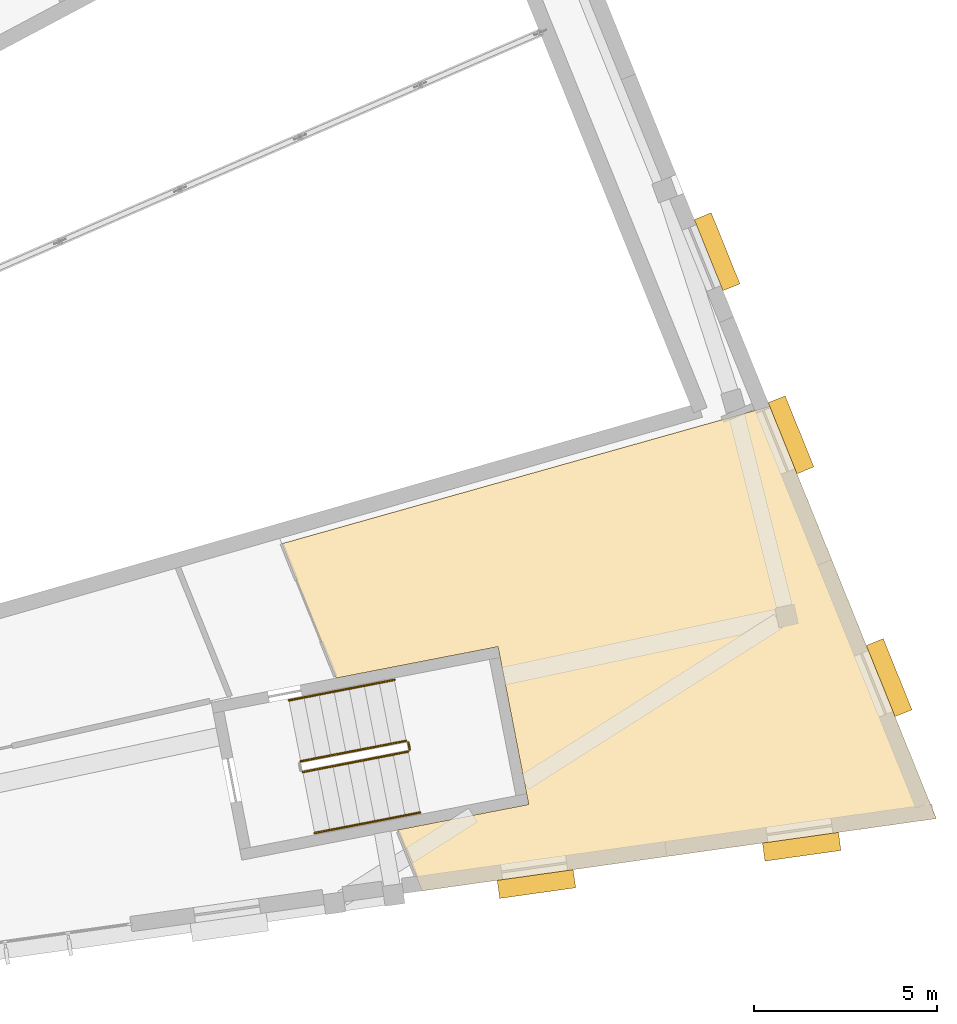
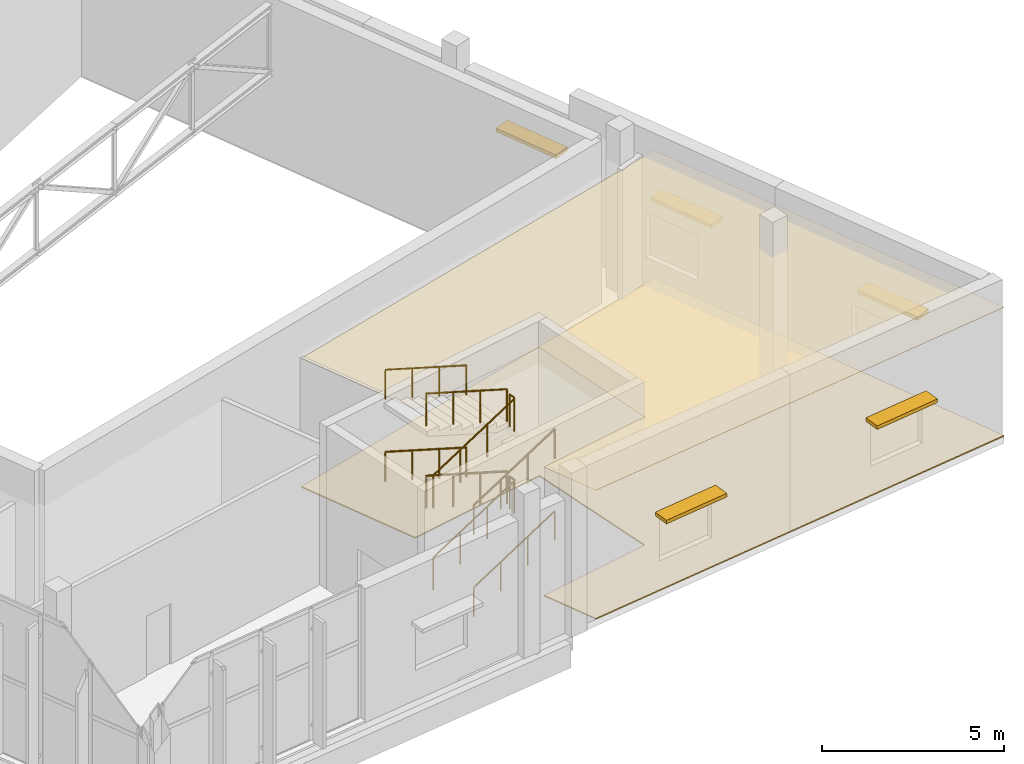
# One storey, part 102 of 112: 10 railings, 5 shading devices, 2 coverings.
"""IFC4 building model written with IfcOpenShell, lengths in metres."""

from ifc_helpers import new_model, si_unit, direction, frame, origin, origin_2d, place, context, subcontext, project, spatial, polyline, rectangle, circle, outline, extrude, material, layer, layer_set, type_object, element, save


model = new_model("IFC4")

# Units and contexts
model_context = context("Model", 3, precision=1e-05, world=origin(), true_north=direction((0.0, 1.0)))
body_context = subcontext(model_context, "Body", "Model", "MODEL_VIEW")
ifc_project = project(units=[si_unit("LENGTHUNIT", "METRE"), si_unit("AREAUNIT", "SQUARE_METRE"), si_unit("VOLUMEUNIT", "CUBIC_METRE"), si_unit("PLANEANGLEUNIT", "RADIAN"), si_unit("MASSUNIT", "GRAM", prefix="KILO")], contexts=[model_context])

# Site, building, storey
site_placement = place(None, origin())
site = spatial("IfcSite", under=ifc_project, at=site_placement, CompositionType="ELEMENT")
building_placement = place(site_placement, origin())
building = spatial("IfcBuilding", under=site, at=building_placement, Name="Lunette Opera House", CompositionType="ELEMENT")
storey_placement = place(building_placement, frame((0.0, 0.0, 6.0)))
storey = spatial("IfcBuildingStorey", under=building, at=storey_placement, Name="L01", CompositionType="ELEMENT", Elevation=6.0)

# Railings
ifc_material_1 = material(Name="Steel S355", Category="steel")
railing_type_1 = type_object("IfcRailingType", Name="STAIR GUARD 1100", PredefinedType="GUARDRAIL", material=ifc_material_1)
railing_1_placement = place(storey_placement, frame((167.785400390625, 13.801025390625, 0.171875)))
element("IfcRailing", 1, at=railing_1_placement, inside=storey, type_object=railing_type_1, Name="L01 ST22 stair guard 1", PredefinedType="GUARDRAIL", context=body_context, shape_type="SweptSolid", body=[
    extrude(circle(Radius=0.02392578125, at=origin_2d()), frame((0.0, 0.0, 1.076171875), z_axis=(0.908508572343, 0.176537026535, 0.378743781787), x_axis=(-0.190747409961, 0.981639152435, 0.0)), (0.0, 0.0, 1.0), 3.176513671875),
    extrude(circle(Radius=0.02099609375, at=origin_2d()), origin(), (0.0, 0.0, 1.0), 1.052001953125),
    extrude(circle(Radius=0.02099609375, at=origin_2d()), frame((0.9619140625, 0.18701171875, 0.401123046875)), (0.0, 0.0, 1.0), 1.052001953125),
    extrude(circle(Radius=0.02099609375, at=origin_2d()), frame((1.924072265625, 0.373779296875, 0.802001953125)), (0.0, 0.0, 1.0), 1.052001953125),
    extrude(circle(Radius=0.02099609375, at=origin_2d()), frame((2.885986328125, 0.560791015625, 1.203125)), (0.0, 0.0, 1.0), 1.052001953125),
])
railing_2_placement = place(storey_placement, frame((170.7109375, 14.42041015625, 1.375)))
element("IfcRailing", 2, at=railing_2_placement, inside=storey, type_object=railing_type_1, Name="L01 ST22 stair guard 2", PredefinedType="GUARDRAIL", context=body_context, shape_type="SweptSolid", body=[
    extrude(circle(Radius=0.02392578125, at=origin_2d()), frame((0.0, 0.0, 1.076171875), z_axis=(-0.190706053889, 0.981647187644, 0.0), x_axis=(-0.981647187644, -0.190706053889, 0.0)), (0.0, 0.0, 1.0), 0.19970703125),
    extrude(circle(Radius=0.02099609375, at=origin_2d()), origin(), (0.0, 0.0, 1.0), 1.052001953125),
    extrude(circle(Radius=0.02099609375, at=origin_2d()), frame((-0.0380859375, 0.196044921875, 0.0)), (0.0, 0.0, 1.0), 1.052001953125),
])
railing_3_placement = place(storey_placement, frame((170.6142578125, 14.656005859375, 1.546875)))
element("IfcRailing", 3, at=railing_3_placement, inside=storey, type_object=railing_type_1, Name="L01 ST22 stair guard 3", PredefinedType="GUARDRAIL", context=body_context, shape_type="SweptSolid", body=[
    extrude(circle(Radius=0.02392578125, at=origin_2d()), frame((0.0, 0.0, 1.076171875), z_axis=(-0.908508572343, -0.176537026535, 0.378743781787), x_axis=(0.190747409961, -0.981639152435, 0.0)), (0.0, 0.0, 1.0), 3.176513671875),
    extrude(circle(Radius=0.02099609375, at=origin_2d()), origin(), (0.0, 0.0, 1.0), 1.052001953125),
    extrude(circle(Radius=0.02099609375, at=origin_2d()), frame((-0.9619140625, -0.18701171875, 0.401123046875)), (0.0, 0.0, 1.0), 1.052001953125),
    extrude(circle(Radius=0.02099609375, at=origin_2d()), frame((-1.924072265625, -0.373779296875, 0.802001953125)), (0.0, 0.0, 1.0), 1.052001953125),
    extrude(circle(Radius=0.02099609375, at=origin_2d()), frame((-2.885986328125, -0.560791015625, 1.203125)), (0.0, 0.0, 1.0), 1.052001953125),
])
railing_4_placement = place(storey_placement, frame((167.785400390625, 13.801025390625, 2.921875)))
element("IfcRailing", 4, at=railing_4_placement, inside=storey, type_object=railing_type_1, Name="L01 ST22 stair guard 5", PredefinedType="GUARDRAIL", context=body_context, shape_type="SweptSolid", body=[
    extrude(circle(Radius=0.02392578125, at=origin_2d()), frame((0.0, 0.0, 1.076171875), z_axis=(0.908508572343, 0.176537026535, 0.378743781787), x_axis=(-0.190747409961, 0.981639152435, 0.0)), (0.0, 0.0, 1.0), 3.176513671875),
    extrude(circle(Radius=0.02099609375, at=origin_2d()), origin(), (0.0, 0.0, 1.0), 1.052001953125),
    extrude(circle(Radius=0.02099609375, at=origin_2d()), frame((0.9619140625, 0.18701171875, 0.401123046875)), (0.0, 0.0, 1.0), 1.052001953125),
    extrude(circle(Radius=0.02099609375, at=origin_2d()), frame((1.924072265625, 0.373779296875, 0.802001953125)), (0.0, 0.0, 1.0), 1.052001953125),
    extrude(circle(Radius=0.02099609375, at=origin_2d()), frame((2.885986328125, 0.560791015625, 1.203125)), (0.0, 0.0, 1.0), 1.052001953125),
])
railing_5_placement = place(storey_placement, frame((170.7109375, 14.42041015625, 4.125)))
element("IfcRailing", 5, at=railing_5_placement, inside=storey, type_object=railing_type_1, Name="L01 ST22 stair guard 6", PredefinedType="GUARDRAIL", context=body_context, shape_type="SweptSolid", body=[
    extrude(circle(Radius=0.02392578125, at=origin_2d()), frame((0.0, 0.0, 1.076171875), z_axis=(-0.190706053889, 0.981647187644, 0.0), x_axis=(-0.981647187644, -0.190706053889, 0.0)), (0.0, 0.0, 1.0), 0.19970703125),
    extrude(circle(Radius=0.02099609375, at=origin_2d()), origin(), (0.0, 0.0, 1.0), 1.052001953125),
    extrude(circle(Radius=0.02099609375, at=origin_2d()), frame((-0.0380859375, 0.196044921875, 0.0)), (0.0, 0.0, 1.0), 1.052001953125),
])
railing_6_placement = place(storey_placement, frame((170.6142578125, 14.656005859375, 4.296875)))
element("IfcRailing", 6, at=railing_6_placement, inside=storey, type_object=railing_type_1, Name="L01 ST22 stair guard 7", PredefinedType="GUARDRAIL", context=body_context, shape_type="SweptSolid", body=[
    extrude(circle(Radius=0.02392578125, at=origin_2d()), frame((0.0, 0.0, 1.076171875), z_axis=(-0.908508572343, -0.176537026535, 0.378743781787), x_axis=(0.190747409961, -0.981639152435, 0.0)), (0.0, 0.0, 1.0), 3.176513671875),
    extrude(circle(Radius=0.02099609375, at=origin_2d()), origin(), (0.0, 0.0, 1.0), 1.052001953125),
    extrude(circle(Radius=0.02099609375, at=origin_2d()), frame((-0.9619140625, -0.18701171875, 0.401123046875)), (0.0, 0.0, 1.0), 1.052001953125),
    extrude(circle(Radius=0.02099609375, at=origin_2d()), frame((-1.924072265625, -0.373779296875, 0.802001953125)), (0.0, 0.0, 1.0), 1.052001953125),
    extrude(circle(Radius=0.02099609375, at=origin_2d()), frame((-2.885986328125, -0.560791015625, 1.203125)), (0.0, 0.0, 1.0), 1.052001953125),
])
ifc_material_2 = material(Name="Steel S355", Category="steel")
railing_type_2 = type_object("IfcRailingType", Name="STAIR HANDRAIL 1000", PredefinedType="HANDRAIL", material=ifc_material_2)
railing_7_placement = place(storey_placement, frame((168.109619140625, 12.132080078125, 0.171875)))
element("IfcRailing", 7, at=railing_7_placement, inside=storey, type_object=railing_type_2, Name="L01 ST22 stair handrail 1", PredefinedType="HANDRAIL", context=body_context, shape_type="SweptSolid", body=[
    extrude(circle(Radius=0.02392578125, at=origin_2d()), frame((0.0, 0.0, 0.97607421875), z_axis=(0.908508572343, 0.176537026535, 0.378743781787), x_axis=(-0.190747409961, 0.981639152435, 0.0)), (0.0, 0.0, 1.0), 3.176513671875),
    extrude(circle(Radius=0.02099609375, at=origin_2d()), origin(), (0.0, 0.0, 1.0), 0.951904296875),
    extrude(circle(Radius=0.02099609375, at=origin_2d()), frame((0.9619140625, 0.18701171875, 0.401123046875)), (0.0, 0.0, 1.0), 0.951904296875),
    extrude(circle(Radius=0.02099609375, at=origin_2d()), frame((1.924072265625, 0.373779296875, 0.802001953125)), (0.0, 0.0, 1.0), 0.951904296875),
    extrude(circle(Radius=0.02099609375, at=origin_2d()), frame((2.885986328125, 0.560791015625, 1.203125)), (0.0, 0.0, 1.0), 0.951904296875),
])
railing_8_placement = place(storey_placement, frame((170.2900390625, 16.32470703125, 1.546875)))
element("IfcRailing", 8, at=railing_8_placement, inside=storey, type_object=railing_type_2, Name="L01 ST22 stair handrail 2", PredefinedType="HANDRAIL", context=body_context, shape_type="SweptSolid", body=[
    extrude(circle(Radius=0.02392578125, at=origin_2d()), frame((0.0, 0.0, 0.97607421875), z_axis=(-0.908508572343, -0.176537026535, 0.378743781787), x_axis=(0.190747409961, -0.981639152435, 0.0)), (0.0, 0.0, 1.0), 3.176513671875),
    extrude(circle(Radius=0.02099609375, at=origin_2d()), origin(), (0.0, 0.0, 1.0), 0.951904296875),
    extrude(circle(Radius=0.02099609375, at=origin_2d()), frame((-0.9619140625, -0.18701171875, 0.401123046875)), (0.0, 0.0, 1.0), 0.951904296875),
    extrude(circle(Radius=0.02099609375, at=origin_2d()), frame((-1.924072265625, -0.373779296875, 0.802001953125)), (0.0, 0.0, 1.0), 0.951904296875),
    extrude(circle(Radius=0.02099609375, at=origin_2d()), frame((-2.885986328125, -0.560791015625, 1.203125)), (0.0, 0.0, 1.0), 0.951904296875),
])
railing_9_placement = place(storey_placement, frame((168.109619140625, 12.132080078125, 2.921875)))
element("IfcRailing", 9, at=railing_9_placement, inside=storey, type_object=railing_type_2, Name="L01 ST22 stair handrail 3", PredefinedType="HANDRAIL", context=body_context, shape_type="SweptSolid", body=[
    extrude(circle(Radius=0.02392578125, at=origin_2d()), frame((0.0, 0.0, 0.97607421875), z_axis=(0.908508572343, 0.176537026535, 0.378743781787), x_axis=(-0.190747409961, 0.981639152435, 0.0)), (0.0, 0.0, 1.0), 3.176513671875),
    extrude(circle(Radius=0.02099609375, at=origin_2d()), origin(), (0.0, 0.0, 1.0), 0.951904296875),
    extrude(circle(Radius=0.02099609375, at=origin_2d()), frame((0.9619140625, 0.18701171875, 0.401123046875)), (0.0, 0.0, 1.0), 0.951904296875),
    extrude(circle(Radius=0.02099609375, at=origin_2d()), frame((1.924072265625, 0.373779296875, 0.802001953125)), (0.0, 0.0, 1.0), 0.951904296875),
    extrude(circle(Radius=0.02099609375, at=origin_2d()), frame((2.885986328125, 0.560791015625, 1.203125)), (0.0, 0.0, 1.0), 0.951904296875),
])
railing_10_placement = place(storey_placement, frame((170.2900390625, 16.32470703125, 4.296875)))
element("IfcRailing", 10, at=railing_10_placement, inside=storey, type_object=railing_type_2, Name="L01 ST22 stair handrail 4", PredefinedType="HANDRAIL", context=body_context, shape_type="SweptSolid", body=[
    extrude(circle(Radius=0.02392578125, at=origin_2d()), frame((0.0, 0.0, 0.97607421875), z_axis=(-0.908508572343, -0.176537026535, 0.378743781787), x_axis=(0.190747409961, -0.981639152435, 0.0)), (0.0, 0.0, 1.0), 3.176513671875),
    extrude(circle(Radius=0.02099609375, at=origin_2d()), origin(), (0.0, 0.0, 1.0), 0.951904296875),
    extrude(circle(Radius=0.02099609375, at=origin_2d()), frame((-0.9619140625, -0.18701171875, 0.401123046875)), (0.0, 0.0, 1.0), 0.951904296875),
    extrude(circle(Radius=0.02099609375, at=origin_2d()), frame((-1.924072265625, -0.373779296875, 0.802001953125)), (0.0, 0.0, 1.0), 0.951904296875),
    extrude(circle(Radius=0.02099609375, at=origin_2d()), frame((-2.885986328125, -0.560791015625, 1.203125)), (0.0, 0.0, 1.0), 0.951904296875),
])

# Coverings
ifc_material_3 = material(Name="Mineral fibre board")
ifc_layer_1 = layer(ifc_material_3, 0.014892578125)
ifc_layer_set_1 = layer_set([ifc_layer_1], Name="Mineral fibre board")
covering_type_1 = type_object("IfcCoveringType", Name="SUSPENDED ACOUSTIC CEILING 15", PredefinedType="CEILING", material=ifc_layer_set_1)
covering_1_placement = place(storey_placement, frame((0.0, 0.0, 4.31494140625)))
element("IfcCovering", 11, at=covering_1_placement, inside=storey, type_object=covering_type_1, Name="Ceiling Education Workshop", PredefinedType="CEILING", context=body_context, shape_type="SweptSolid", body=[
    extrude(outline(polyline([(171.050048828125, 10.548095703125), (170.3759765625, 12.216064453125), (173.968017578125, 12.9140625), (173.12890625, 17.23291015625), (168.697021484375, 16.3720703125), (167.2099609375, 20.051025390625), (180.56494140625, 23.81201171875), (185.1240234375, 12.52587890625), (171.050048828125, 10.548095703125)])), origin(), (0.0, 0.0, 1.0), 0.01513671875),
])
ifc_material_4 = material(Name="Timber", Category="wood")
ifc_layer_2 = layer(ifc_material_4, 0.0400390625)
ifc_layer_set_2 = layer_set([ifc_layer_2], Name="Timber")
covering_type_2 = type_object("IfcCoveringType", Name="TIMBER FLOOR FINISH 40", PredefinedType="FLOORING", material=ifc_layer_set_2)
covering_2_placement = place(storey_placement, origin())
element("IfcCovering", 12, at=covering_2_placement, inside=storey, type_object=covering_type_2, Name="Floor finish Education Workshop", PredefinedType="FLOORING", context=body_context, shape_type="SweptSolid", body=[
    extrude(outline(polyline([(171.050048828125, 10.548095703125), (170.3759765625, 12.216064453125), (173.968017578125, 12.9140625), (173.12890625, 17.23291015625), (168.697021484375, 16.3720703125), (167.2099609375, 20.051025390625), (180.56494140625, 23.81201171875), (185.1240234375, 12.52587890625), (171.050048828125, 10.548095703125)])), origin(), (0.0, 0.0, 1.0), 0.0400390625),
])

# Shading devices
ifc_material_5 = material(Name="Powder-coated aluminium", Category="aluminium")
ifc_layer_3 = layer(ifc_material_5, 0.1201171875)
ifc_layer_set_3 = layer_set([ifc_layer_3], Name="Powder-coated aluminium")
shading_device_type = type_object("IfcShadingDeviceType", Name="WINDOW HOOD 500 X 2100", PredefinedType="USERDEFINED", material=ifc_layer_set_3)
for number, where, z_axis, x_axis, name in (
    (13, (174.179931640625, 10.735107421875, 2.579833984375), (0.0, 0.0, 1.0), (0.139245691027, -0.99025786416, 0.0), "Window hood SB-N2005"),
    (14, (181.44091796875, 11.756103515625, 2.579833984375), (0.0, 0.0, 1.0), (0.139205939416, -0.990263453042, 0.0), "Window hood SB-N2006"),
    (15, (183.833984375, 16.385986328125, 2.579833984375), (0.0, 0.0, 1.0), (0.927191700106, 0.374587174441, 0.0), "Window hood SB-N2007"),
    (16, (181.14892578125, 23.031982421875, 2.579833984375), (0.0, 0.0, 1.0), (0.927191700106, 0.374587174441, 0.0), "Window hood SB-N2008"),
    (17, (179.125, 28.04296875, 2.579833984375), (0.0, 0.0, 1.0), (0.927240071941, 0.374467420462, 0.0), "Window hood SB-N2009"),
):
    element("IfcShadingDevice", number, at=place(storey_placement, frame(where, z_axis=z_axis, x_axis=x_axis)), inside=storey, type_object=shading_device_type, Name=name, ObjectType="WINDOW HOOD", PredefinedType="USERDEFINED", context=body_context, shape_type="SweptSolid", body=[
        extrude(rectangle(XDim=0.5, YDim=2.10009765625, at=origin_2d()), origin(), (0.0, 0.0, 1.0), 0.1201171875),
    ])

save(model, "model.ifc")
